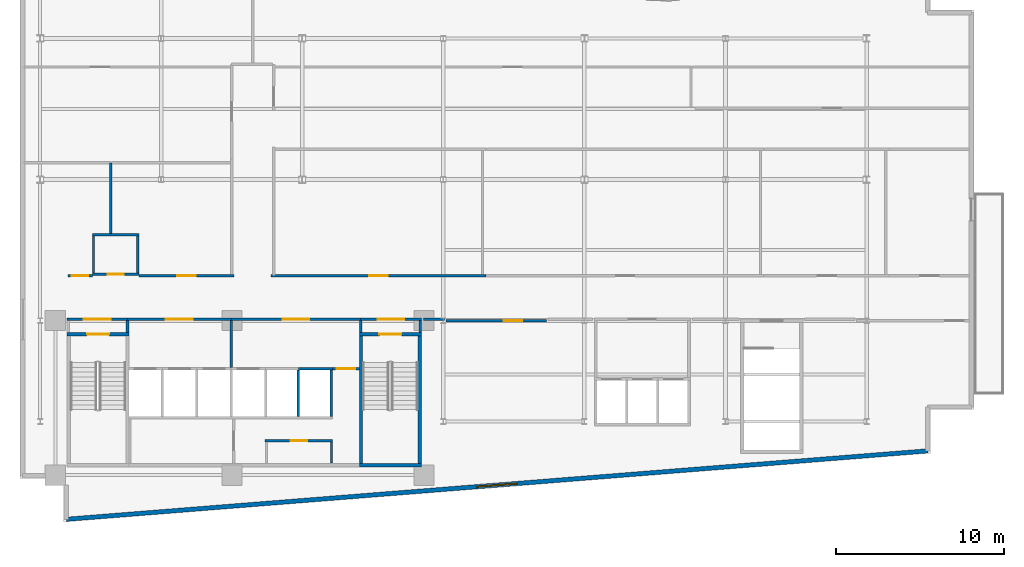
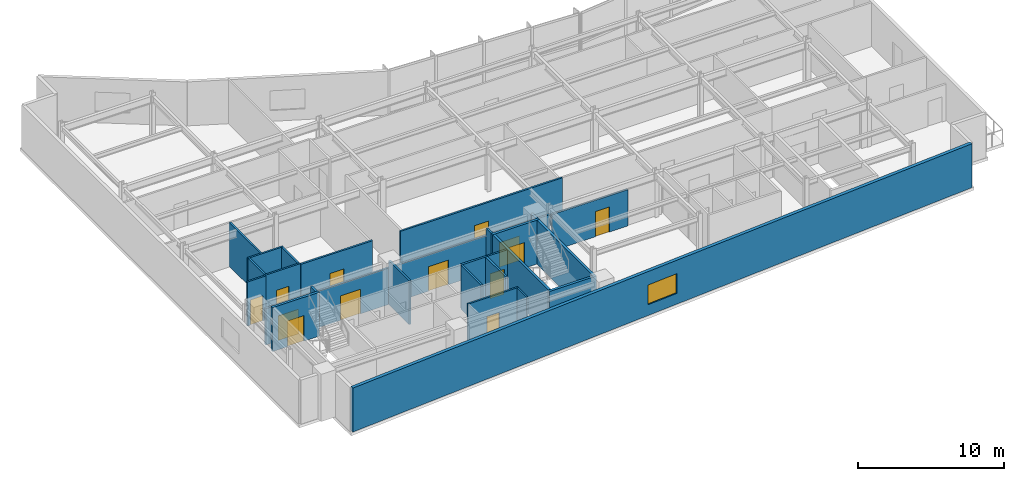
# One storey, part 10 of 16: 30 walls, 13 doors, 1 window, 14 openings.
"""IFC4 building model written with IfcOpenShell, lengths in metres."""

from ifc_helpers import new_model, si_unit, direction, frame, frame_2d, origin, place, context, subcontext, project, spatial, rectangle, extrude, material, layer, layer_set, type_object, element, fill, save


model = new_model("IFC4")

# Units and contexts
model_context = context("Model", 3, precision=1e-05, world=origin(), true_north=direction((0.0, 1.0)))
body_context = subcontext(model_context, "Body", "Model", "MODEL_VIEW")
ifc_project = project(units=[si_unit("LENGTHUNIT", "METRE"), si_unit("AREAUNIT", "SQUARE_METRE"), si_unit("VOLUMEUNIT", "CUBIC_METRE"), si_unit("PLANEANGLEUNIT", "RADIAN"), si_unit("MASSUNIT", "GRAM", prefix="KILO")], contexts=[model_context])

# Site, building, storey
site_placement = place(None, origin())
site = spatial("IfcSite", under=ifc_project, at=site_placement, CompositionType="ELEMENT")
building_placement = place(site_placement, origin())
building = spatial("IfcBuilding", under=site, at=building_placement, Name="Varnakote Quay Hospital", CompositionType="ELEMENT")
storey_placement = place(building_placement, frame((0.0, 0.0, 170.5)))
storey = spatial("IfcBuildingStorey", under=building, at=storey_placement, Name="L42", CompositionType="ELEMENT", Elevation=170.5)

# Wall, opening, door
ifc_material_1 = material(Name="Fire-rated acoustic gypsum stud wall", Category="gypsum")
ifc_layer_1 = layer(ifc_material_1, 0.159912109375)
ifc_layer_set_1 = layer_set([ifc_layer_1], Name="Fire-rated acoustic gypsum stud wall")
wall_type_1 = type_object("IfcWallType", Name="WL-COMP-160", PredefinedType="PARTITIONING", material=ifc_layer_set_1)
wall_1_placement = place(storey_placement, frame((2.800048828125, 12.080078125, 0.0), z_axis=(0.0, 0.0, 1.0), x_axis=(1.0, 0.0, 0.0)))
wall_1 = element("IfcWall", 1, at=wall_1_placement, inside=storey, type_object=wall_type_1, Name="L42 West Stair Vestibule Smoke Wall", PredefinedType="PARTITIONING", context=body_context, shape_type="SweptSolid", body=[
    extrude(rectangle(XDim=3.599853515625, YDim=0.159912109375, at=frame_2d((1.7998046875, 0.0))), origin(), (0.0, 0.0, 1.0), 3.04296875),
])
opening_1_placement = place(wall_1_placement, frame((1.0, 0.0, 0.0)))
opening_1 = element("IfcOpeningElement", 2, at=opening_1_placement, cuts=wall_1, Name="Opening D-ST1L-L42", PredefinedType="OPENING", context=body_context, shape_type="SweptSolid", body=[
    extrude(rectangle(XDim=1.60009765625, YDim=2.050048828125, at=frame_2d((0.800048828125, 1.02490234375))), frame((0.0, 0.08984375, 0.0), z_axis=(0.0, -1.0, 0.0), x_axis=(1.0, 0.0, 0.0)), (0.0, 0.0, 1.0), 0.179931640625),
])
ifc_material_2 = material(Name="Fire-rated double smoke lobby door")
door_type_1 = type_object("IfcDoorType", Name="DR-LOBBY-FD60S-1600x2150", OperationType="NOTDEFINED", PredefinedType="DOOR", material=ifc_material_2)
door_1_placement = place(opening_1_placement, origin())
door_1 = element("IfcDoor", 3, at=door_1_placement, inside=storey, type_object=door_type_1, Name="L42 West Stair Vestibule Smoke Door", OperationType="DOUBLE_DOOR_SINGLE_SWING", OverallHeight=2.050048828125, OverallWidth=1.60009765625, PredefinedType="DOOR", context=body_context, shape_type="SweptSolid", body=[
    extrude(rectangle(XDim=1.60009765625, YDim=2.050048828125, at=frame_2d((0.800048828125, 1.02490234375))), frame((0.0, 0.02490234375, 0.0), z_axis=(0.0, -1.0, 0.0), x_axis=(1.0, 0.0, 0.0)), (0.0, 0.0, 1.0), 0.050048828125),
])
fill(opening_1, door_1)

# Wall
wall_2_placement = place(storey_placement, frame((6.39990234375, 11.300048828125, 0.0), z_axis=(0.0, 0.0, 1.0), x_axis=(0.0, 1.0, 0.0)))
element("IfcWall", 4, at=wall_2_placement, inside=storey, type_object=wall_type_1, Name="L42 Firefighting Lobby West Wall", PredefinedType="PARTITIONING", context=body_context, shape_type="SweptSolid", body=[
    extrude(rectangle(XDim=0.699951171875, YDim=0.159912109375, at=frame_2d((0.35009765625, 0.0))), origin(), (0.0, 0.0, 1.0), 3.669921875),
])

# Wall, opening, door
wall_3_placement = place(storey_placement, frame((6.39990234375, 12.080078125, 0.0), z_axis=(0.0, 0.0, 1.0), x_axis=(1.0, 0.0, 0.0)))
wall_3 = element("IfcWall", 5, at=wall_3_placement, inside=storey, type_object=wall_type_1, Name="L42 Firefighting Lift Lobby Compartment Wall", PredefinedType="PARTITIONING", context=body_context, shape_type="SweptSolid", body=[
    extrude(rectangle(XDim=6.18017578125, YDim=0.159912109375, at=frame_2d((3.090087890625, 0.0))), origin(), (0.0, 0.0, 1.0), 3.04296875),
])
opening_2_placement = place(wall_3_placement, frame((2.2900390625, 0.0, 0.0)))
opening_2 = element("IfcOpeningElement", 6, at=opening_2_placement, cuts=wall_3, Name="Opening D-FFL-L42", PredefinedType="OPENING", context=body_context, shape_type="SweptSolid", body=[
    extrude(rectangle(XDim=1.60009765625, YDim=2.050048828125, at=frame_2d((0.800048828125, 1.02490234375))), frame((0.0, 0.08984375, 0.0), z_axis=(0.0, -1.0, 0.0), x_axis=(1.0, 0.0, 0.0)), (0.0, 0.0, 1.0), 0.179931640625),
])
door_2_placement = place(opening_2_placement, origin())
door_2 = element("IfcDoor", 7, at=door_2_placement, inside=storey, type_object=door_type_1, Name="L42 Firefighting Smoke Vestibule Door", OperationType="DOUBLE_DOOR_SINGLE_SWING", OverallHeight=2.050048828125, OverallWidth=1.60009765625, PredefinedType="DOOR", context=body_context, shape_type="SweptSolid", body=[
    extrude(rectangle(XDim=1.60009765625, YDim=2.050048828125, at=frame_2d((0.800048828125, 1.02490234375))), frame((0.0, 0.02490234375, 0.0), z_axis=(0.0, -1.0, 0.0), x_axis=(1.0, 0.0, 0.0)), (0.0, 0.0, 1.0), 0.050048828125),
])
fill(opening_2, door_2)

# Wall
wall_4_placement = place(storey_placement, frame((12.580078125, 9.2099609375, 0.0), z_axis=(0.0, 0.0, 1.0), x_axis=(0.0, 1.0, 0.0)))
element("IfcWall", 8, at=wall_4_placement, inside=storey, type_object=wall_type_1, Name="L42 Firefighting to Service Lobby Wall", PredefinedType="PARTITIONING", context=body_context, shape_type="SweptSolid", body=[
    extrude(rectangle(XDim=2.7900390625, YDim=0.159912109375, at=frame_2d((1.39501953125, 0.0))), origin(), (0.0, 0.0, 1.0), 3.669921875),
])

# Wall, opening, door
wall_5_placement = place(storey_placement, frame((12.580078125, 12.080078125, 0.0), z_axis=(0.0, 0.0, 1.0), x_axis=(1.0, 0.0, 0.0)))
wall_5 = element("IfcWall", 9, at=wall_5_placement, inside=storey, type_object=wall_type_1, Name="L42 Clinical Bed Lift Lobby Wall", PredefinedType="PARTITIONING", context=body_context, shape_type="SweptSolid", body=[
    extrude(rectangle(XDim=7.699951171875, YDim=0.159912109375, at=frame_2d((3.85009765625, 0.0))), origin(), (0.0, 0.0, 1.0), 3.04296875),
])
opening_3_placement = place(wall_5_placement, frame((3.050048828125, 0.0, 0.0)))
opening_3 = element("IfcOpeningElement", 10, at=opening_3_placement, cuts=wall_5, Name="Opening D-SVL-L42", PredefinedType="OPENING", context=body_context, shape_type="SweptSolid", body=[
    extrude(rectangle(XDim=1.60009765625, YDim=2.050048828125, at=frame_2d((0.800048828125, 1.02490234375))), frame((0.0, 0.08984375, 0.0), z_axis=(0.0, -1.0, 0.0), x_axis=(1.0, 0.0, 0.0)), (0.0, 0.0, 1.0), 0.179931640625),
])
door_3_placement = place(opening_3_placement, origin())
door_3 = element("IfcDoor", 11, at=door_3_placement, inside=storey, type_object=door_type_1, Name="L42 Clinical Core Smoke Vestibule Door", OperationType="DOUBLE_DOOR_SINGLE_SWING", OverallHeight=2.050048828125, OverallWidth=1.60009765625, PredefinedType="DOOR", context=body_context, shape_type="SweptSolid", body=[
    extrude(rectangle(XDim=1.60009765625, YDim=2.050048828125, at=frame_2d((0.800048828125, 1.02490234375))), frame((0.0, 0.02490234375, 0.0), z_axis=(0.0, -1.0, 0.0), x_axis=(1.0, 0.0, 0.0)), (0.0, 0.0, 1.0), 0.050048828125),
])
fill(opening_3, door_3)

# Wall
wall_6_placement = place(storey_placement, frame((20.280029296875, 11.300048828125, 0.0), z_axis=(0.0, 0.0, 1.0), x_axis=(0.0, 1.0, 0.0)))
element("IfcWall", 12, at=wall_6_placement, inside=storey, type_object=wall_type_1, Name="L42 East Stair Vestibule Divider Wall", PredefinedType="PARTITIONING", context=body_context, shape_type="SweptSolid", body=[
    extrude(rectangle(XDim=0.699951171875, YDim=0.159912109375, at=frame_2d((0.35009765625, 0.0))), origin(), (0.0, 0.0, 1.0), 3.669921875),
])

# Wall, opening, door
wall_7_placement = place(storey_placement, frame((20.280029296875, 12.080078125, 0.0), z_axis=(0.0, 0.0, 1.0), x_axis=(1.0, 0.0, 0.0)))
wall_7 = element("IfcWall", 13, at=wall_7_placement, inside=storey, type_object=wall_type_1, Name="L42 East Stair Vestibule Smoke Wall", PredefinedType="PARTITIONING", context=body_context, shape_type="SweptSolid", body=[
    extrude(rectangle(XDim=3.619873046875, YDim=0.159912109375, at=frame_2d((1.81005859375, 0.0))), origin(), (0.0, 0.0, 1.0), 3.04296875),
])
opening_4_placement = place(wall_7_placement, frame((1.010009765625, 0.0, 0.0)))
opening_4 = element("IfcOpeningElement", 14, at=opening_4_placement, cuts=wall_7, Name="Opening D-ST2L-L42", PredefinedType="OPENING", context=body_context, shape_type="SweptSolid", body=[
    extrude(rectangle(XDim=1.60009765625, YDim=2.050048828125, at=frame_2d((0.800048828125, 1.02490234375))), frame((0.0, 0.08984375, 0.0), z_axis=(0.0, -1.0, 0.0), x_axis=(1.0, 0.0, 0.0)), (0.0, 0.0, 1.0), 0.179931640625),
])
door_4_placement = place(opening_4_placement, origin())
door_4 = element("IfcDoor", 15, at=door_4_placement, inside=storey, type_object=door_type_1, Name="L42 East Stair Vestibule Smoke Door", OperationType="DOUBLE_DOOR_SINGLE_SWING", OverallHeight=2.050048828125, OverallWidth=1.60009765625, PredefinedType="DOOR", context=body_context, shape_type="SweptSolid", body=[
    extrude(rectangle(XDim=1.60009765625, YDim=2.050048828125, at=frame_2d((0.800048828125, 1.02490234375))), frame((0.0, 0.02490234375, 0.0), z_axis=(0.0, -1.0, 0.0), x_axis=(1.0, 0.0, 0.0)), (0.0, 0.0, 1.0), 0.050048828125),
])
fill(opening_4, door_4)

# Walls
wall_8_placement = place(storey_placement, frame((23.820068359375, 11.300048828125, 0.0), z_axis=(0.0, 0.0, 1.0), x_axis=(0.0, 1.0, 0.0)))
element("IfcWall", 16, at=wall_8_placement, inside=storey, type_object=wall_type_1, Name="L42 East Stair Vestibule East Wall", PredefinedType="PARTITIONING", context=body_context, shape_type="SweptSolid", body=[
    extrude(rectangle(XDim=0.699951171875, YDim=0.159912109375, at=frame_2d((0.35009765625, 0.0))), origin(), (0.0, 0.0, 1.0), 3.669921875),
])
wall_9_placement = place(storey_placement, frame((24.02001953125, 12.080078125, 0.0), z_axis=(0.0, 0.0, 1.0), x_axis=(1.0, 0.0, 0.0)))
element("IfcWall", 17, at=wall_9_placement, inside=storey, type_object=wall_type_1, Name="L42 Corridor South Gap Wall", PredefinedType="PARTITIONING", context=body_context, shape_type="SweptSolid", body=[
    extrude(rectangle(XDim=1.244140625, YDim=0.159912109375, at=frame_2d((0.6220703125, 0.0))), origin(), (0.0, 0.0, 1.0), 3.04296875),
])

# Wall, opening, window
ifc_material_3 = material(Name="Precast concrete N50 (f'c 50 MPa)", Category="concrete")
ifc_layer_2 = layer(ifc_material_3, 0.260009765625)
ifc_layer_set_2 = layer_set([ifc_layer_2], Name="Precast concrete N50 (f'c 50 MPa)")
wall_type_2 = type_object("IfcWallType", Name="WL-EXT-BRICK-260", PredefinedType="STANDARD", material=ifc_layer_set_2)
wall_10_placement = place(storey_placement, frame((2.760009765625, 0.173095703125, 0.0), z_axis=(0.0, 0.0, 1.0), x_axis=(0.996857931723, 0.079210251617, 0.0)))
wall_10 = element("IfcWall", 18, at=wall_10_placement, inside=storey, type_object=wall_type_2, Name="L42 Brick-Faced Precast Exterior Wall", PredefinedType="STANDARD", context=body_context, shape_type="SweptSolid", body=[
    extrude(rectangle(XDim=51.441650390625, YDim=0.260009765625, at=frame_2d((25.720703125, 0.0))), origin(), (0.0, 0.0, 1.0), 3.669921875),
])
opening_5_placement = place(wall_10_placement, frame((24.520751953125, 0.0, 0.89990234375)))
opening_5 = element("IfcOpeningElement", 19, at=opening_5_placement, cuts=wall_10, Name="Opening WN-0178", PredefinedType="OPENING", context=body_context, shape_type="SweptSolid", body=[
    extrude(rectangle(XDim=2.39990234375, YDim=1.64990234375, at=frame_2d((1.199951171875, 0.824951171875))), frame((0.0, 0.139892578125, 0.0), z_axis=(0.0, -1.0, 0.0), x_axis=(1.0, 0.0, 0.0)), (0.0, 0.0, 1.0), 0.280029296875),
])
ifc_material_4 = material(Name="Double-glazed low-E solar glass", Category="glass")
window_type = type_object("IfcWindowType", Name="WIN-CLIN-2400x1650", PartitioningType="SINGLE_PANEL", PredefinedType="WINDOW", material=ifc_material_4)
window_placement = place(opening_5_placement, origin())
window = element("IfcWindow", 20, at=window_placement, inside=storey, type_object=window_type, Name="L42 Solar-Control Clinical Window", OverallHeight=1.64990234375, OverallWidth=2.39990234375, PartitioningType="SINGLE_PANEL", PredefinedType="WINDOW", context=body_context, shape_type="SweptSolid", body=[
    extrude(rectangle(XDim=2.39990234375, YDim=1.64990234375, at=frame_2d((1.199951171875, 0.824951171875))), frame((0.0, 0.030029296875, 0.0), z_axis=(0.0, -1.0, 0.0), x_axis=(1.0, 0.0, 0.0)), (0.0, 0.0, 1.0), 0.06005859375),
])
fill(opening_5, window)

# Walls
ifc_material_5 = material(Name="Concrete N50 (f'c 50 MPa)", Category="concrete")
ifc_layer_3 = layer(ifc_material_5, 0.14990234375)
ifc_layer_set_3 = layer_set([ifc_layer_3], Name="Concrete N50 (f'c 50 MPa)")
wall_type_3 = type_object("IfcWallType", Name="WL-SHAFT-N50-150", PredefinedType="SHEAR", material=ifc_layer_set_3)
wall_11_placement = place(storey_placement, frame((16.574951171875, 6.300048828125, 0.0), z_axis=(0.0, 0.0, 1.0), x_axis=(0.0, 1.0, 0.0)))
element("IfcWall", 21, at=wall_11_placement, inside=storey, type_object=wall_type_3, Name="L42 LF-PH1 Hoistway Divider Wall", PredefinedType="SHEAR", context=body_context, shape_type="SweptSolid", body=[
    extrude(rectangle(XDim=2.75, YDim=0.14990234375, at=frame_2d((1.375, 0.0))), origin(), (0.0, 0.0, 1.0), 3.669921875),
])
ifc_material_6 = material(Name="Concrete N50 (f'c 50 MPa)", Category="concrete")
ifc_layer_4 = layer(ifc_material_6, 0.159912109375)
ifc_layer_set_4 = layer_set([ifc_layer_4], Name="Concrete N50 (f'c 50 MPa)")
wall_type_4 = type_object("IfcWallType", Name="WL-SHAFT-N50-160", PredefinedType="SHEAR", material=ifc_layer_set_4)
wall_12_placement = place(storey_placement, frame((18.530029296875, 6.300048828125, 0.0), z_axis=(0.0, 0.0, 1.0), x_axis=(0.0, 1.0, 0.0)))
element("IfcWall", 22, at=wall_12_placement, inside=storey, type_object=wall_type_4, Name="L42 REAR Lift Bank East Shear Wall", PredefinedType="SHEAR", context=body_context, shape_type="SweptSolid", body=[
    extrude(rectangle(XDim=2.75, YDim=0.159912109375, at=frame_2d((1.375, 0.0))), origin(), (0.0, 0.0, 1.0), 3.669921875),
])
wall_13_placement = place(storey_placement, frame((16.574951171875, 9.1298828125, 0.0), z_axis=(0.0, 0.0, 1.0), x_axis=(1.0, 0.0, 0.0)))
element("IfcWall", 23, at=wall_13_placement, inside=storey, type_object=wall_type_4, Name="L42 LF-PH2 Hoistway Front Wall", PredefinedType="SHEAR", context=body_context, shape_type="SweptSolid", body=[
    extrude(rectangle(XDim=2.03515625, YDim=0.159912109375, at=frame_2d((1.017578125, 0.0))), origin(), (0.0, 0.0, 1.0), 3.669921875),
])

# Wall, opening, door
ifc_material_7 = material(Name="Concrete N50 (f'c 50 MPa)", Category="concrete")
ifc_layer_5 = layer(ifc_material_7, 0.199951171875)
ifc_layer_set_5 = layer_set([ifc_layer_5], Name="Concrete N50 (f'c 50 MPa)")
wall_type_5 = type_object("IfcWallType", Name="WL-SHAFT-N50-200", PredefinedType="SHEAR", material=ifc_layer_set_5)
wall_14_placement = place(storey_placement, frame((2.800048828125, 11.199951171875, 0.0), z_axis=(0.0, 0.0, 1.0), x_axis=(1.0, 0.0, 0.0)))
wall_14 = element("IfcWall", 24, at=wall_14_placement, inside=storey, type_object=wall_type_5, Name="L42 Stair ST1 Exit Wall", PredefinedType="SHEAR", context=body_context, shape_type="SweptSolid", body=[
    extrude(rectangle(XDim=3.699951171875, YDim=0.199951171875, at=frame_2d((1.85009765625, 0.0))), origin(), (0.0, 0.0, 1.0), 3.669921875),
])
opening_6_placement = place(wall_14_placement, frame((1.199951171875, 0.0, 0.0)))
opening_6 = element("IfcOpeningElement", 25, at=opening_6_placement, cuts=wall_14, Name="Opening D-ST1-L42", PredefinedType="OPENING", context=body_context, shape_type="SweptSolid", body=[
    extrude(rectangle(XDim=1.300048828125, YDim=2.14990234375, at=frame_2d((0.64990234375, 1.074951171875))), frame((0.0, 0.10986328125, 0.0), z_axis=(0.0, -1.0, 0.0), x_axis=(1.0, 0.0, 0.0)), (0.0, 0.0, 1.0), 0.219970703125),
])
ifc_material_8 = material(Name="Fire-rated ceramic-glazed timber exit door", Category="wood")
door_type_2 = type_object("IfcDoorType", Name="DR-STAIR-FD60S-1300x2150", OperationType="NOTDEFINED", PredefinedType="DOOR", material=ifc_material_8)
door_5_placement = place(opening_6_placement, origin())
door_5 = element("IfcDoor", 26, at=door_5_placement, inside=storey, type_object=door_type_2, Name="L42 Stair ST1 Fire Exit Door", OperationType="SINGLE_SWING_LEFT", OverallHeight=2.14990234375, OverallWidth=1.300048828125, PredefinedType="DOOR", context=body_context, shape_type="SweptSolid", body=[
    extrude(rectangle(XDim=1.300048828125, YDim=2.14990234375, at=frame_2d((0.64990234375, 1.074951171875))), frame((0.0, 0.02490234375, 0.0), z_axis=(0.0, -1.0, 0.0), x_axis=(1.0, 0.0, 0.0)), (0.0, 0.0, 1.0), 0.050048828125),
])
fill(opening_6, door_5)

# Walls
wall_15_placement = place(storey_placement, frame((20.199951171875, 3.39990234375, 0.0), z_axis=(0.0, 0.0, 1.0), x_axis=(1.0, 0.0, 0.0)))
element("IfcWall", 27, at=wall_15_placement, inside=storey, type_object=wall_type_5, Name="L42 Stair ST2 South Shaft Wall", PredefinedType="SHEAR", context=body_context, shape_type="SweptSolid", body=[
    extrude(rectangle(XDim=3.699951171875, YDim=0.199951171875, at=frame_2d((1.85009765625, 0.0))), origin(), (0.0, 0.0, 1.0), 3.669921875),
])
for number, where, z_axis, x_axis, name in (
    (28, (20.300048828125, 3.5, 0.0), (0.0, 0.0, 1.0), (0.0, 1.0, 0.0), "L42 Stair ST2 West Shaft Wall"),
    (29, (23.800048828125, 3.5, 0.0), (0.0, 0.0, 1.0), (0.0, 1.0, 0.0), "L42 Stair ST2 East Shaft Wall"),
):
    element("IfcWall", number, at=place(storey_placement, frame(where, z_axis=z_axis, x_axis=x_axis)), inside=storey, type_object=wall_type_5, Name=name, PredefinedType="SHEAR", context=body_context, shape_type="SweptSolid", body=[
        extrude(rectangle(XDim=7.60009765625, YDim=0.199951171875, at=frame_2d((3.800048828125, 0.0))), origin(), (0.0, 0.0, 1.0), 3.669921875),
    ])

# Wall, opening, door
wall_16_placement = place(storey_placement, frame((20.199951171875, 11.199951171875, 0.0), z_axis=(0.0, 0.0, 1.0), x_axis=(1.0, 0.0, 0.0)))
wall_16 = element("IfcWall", 30, at=wall_16_placement, inside=storey, type_object=wall_type_5, Name="L42 Stair ST2 Exit Wall", PredefinedType="SHEAR", context=body_context, shape_type="SweptSolid", body=[
    extrude(rectangle(XDim=3.699951171875, YDim=0.199951171875, at=frame_2d((1.85009765625, 0.0))), origin(), (0.0, 0.0, 1.0), 3.669921875),
])
opening_7_placement = place(wall_16_placement, frame((1.199951171875, 0.0, 0.0)))
opening_7 = element("IfcOpeningElement", 31, at=opening_7_placement, cuts=wall_16, Name="Opening D-ST2-L42", PredefinedType="OPENING", context=body_context, shape_type="SweptSolid", body=[
    extrude(rectangle(XDim=1.300048828125, YDim=2.14990234375, at=frame_2d((0.64990234375, 1.074951171875))), frame((0.0, 0.10986328125, 0.0), z_axis=(0.0, -1.0, 0.0), x_axis=(1.0, 0.0, 0.0)), (0.0, 0.0, 1.0), 0.219970703125),
])
door_6_placement = place(opening_7_placement, origin())
door_6 = element("IfcDoor", 32, at=door_6_placement, inside=storey, type_object=door_type_2, Name="L42 Stair ST2 Fire Exit Door", OperationType="SINGLE_SWING_RIGHT", OverallHeight=2.14990234375, OverallWidth=1.300048828125, PredefinedType="DOOR", context=body_context, shape_type="SweptSolid", body=[
    extrude(rectangle(XDim=1.300048828125, YDim=2.14990234375, at=frame_2d((0.64990234375, 1.074951171875))), frame((0.0, 0.02490234375, 0.0), z_axis=(0.0, -1.0, 0.0), x_axis=(1.0, 0.0, 0.0)), (0.0, 0.0, 1.0), 0.050048828125),
])
fill(opening_7, door_6)

# Walls
ifc_material_9 = material(Name="Smoke-proof clinical partition", Category="gypsum")
ifc_layer_6 = layer(ifc_material_9, 0.1201171875)
ifc_layer_set_6 = layer_set([ifc_layer_6], Name="Smoke-proof clinical partition")
wall_type_6 = type_object("IfcWallType", Name="WL-SMOKE-120", PredefinedType="PARTITIONING", material=ifc_layer_set_6)
wall_17_placement = place(storey_placement, frame((18.5400390625, 3.52001953125, 0.0), z_axis=(0.0, 0.0, 1.0), x_axis=(0.0, 1.0, 0.0)))
element("IfcWall", 33, at=wall_17_placement, inside=storey, type_object=wall_type_6, Name="L42 Core WC East Wall", PredefinedType="PARTITIONING", context=body_context, shape_type="SweptSolid", body=[
    extrude(rectangle(XDim=1.260009765625, YDim=0.1201171875, at=frame_2d((0.6298828125, 0.0))), origin(), (0.0, 0.0, 1.0), 3.669921875),
])
ifc_material_10 = material(Name="Smoke-proof clinical partition", Category="gypsum")
ifc_layer_7 = layer(ifc_material_10, 0.135009765625)
ifc_layer_set_7 = layer_set([ifc_layer_7], Name="Smoke-proof clinical partition")
wall_type_7 = type_object("IfcWallType", Name="WL-SMOKE-135", PredefinedType="PARTITIONING", material=ifc_layer_set_7)
wall_18_placement = place(storey_placement, frame((5.39990234375, 17.139892578125, 0.0), z_axis=(0.0, 0.0, 1.0), x_axis=(0.0, 1.0, 0.0)))
element("IfcWall", 34, at=wall_18_placement, inside=storey, type_object=wall_type_7, Name="L42 Clinical Interior Partition", PredefinedType="PARTITIONING", context=body_context, shape_type="SweptSolid", body=[
    extrude(rectangle(XDim=4.260009765625, YDim=0.135009765625, at=frame_2d((2.1298828125, 0.0))), origin(), (0.0, 0.0, 1.0), 3.669921875),
])

# Wall, opening, door
ifc_material_11 = material(Name="Fire-rated clinical gypsum partition", Category="gypsum")
ifc_layer_8 = layer(ifc_material_11, 0.139892578125)
ifc_layer_set_8 = layer_set([ifc_layer_8], Name="Fire-rated clinical gypsum partition")
wall_type_8 = type_object("IfcWallType", Name="WL-WARD-140", PredefinedType="PARTITIONING", material=ifc_layer_set_8)
wall_19_placement = place(storey_placement, frame((14.60009765625, 4.85009765625, 0.0), z_axis=(0.0, 0.0, 1.0), x_axis=(1.0, 0.0, 0.0)))
wall_19 = element("IfcWall", 35, at=wall_19_placement, inside=storey, type_object=wall_type_8, Name="L42 Core Staff Sanitary WC North Wall", PredefinedType="PARTITIONING", context=body_context, shape_type="SweptSolid", body=[
    extrude(rectangle(XDim=4.0, YDim=0.139892578125, at=frame_2d((2.0, 0.0))), origin(), (0.0, 0.0, 1.0), 3.669921875),
])
opening_8_placement = place(wall_19_placement, frame((1.510009765625, 0.0, 0.0)))
opening_8 = element("IfcOpeningElement", 36, at=opening_8_placement, cuts=wall_19, Name="Opening D-L42-CR02", PredefinedType="OPENING", context=body_context, shape_type="SweptSolid", body=[
    extrude(rectangle(XDim=0.97998046875, YDim=2.10009765625, at=frame_2d((0.489990234375, 1.050048828125))), frame((0.0, 0.079833984375, 0.0), z_axis=(0.0, -1.0, 0.0), x_axis=(1.0, 0.0, 0.0)), (0.0, 0.0, 1.0), 0.159912109375),
])
ifc_material_12 = material(Name="Accessible sanitary compartment door")
door_type_3 = type_object("IfcDoorType", Name="DR-WC-980x2100", OperationType="NOTDEFINED", PredefinedType="DOOR", material=ifc_material_12)
door_7_placement = place(opening_8_placement, origin())
door_7 = element("IfcDoor", 37, at=door_7_placement, inside=storey, type_object=door_type_3, Name="L42 Core Staff Sanitary WC Door", OperationType="SINGLE_SWING_LEFT", OverallHeight=2.10009765625, OverallWidth=0.97998046875, PredefinedType="DOOR", context=body_context, shape_type="SweptSolid", body=[
    extrude(rectangle(XDim=0.97998046875, YDim=2.10009765625, at=frame_2d((0.489990234375, 1.050048828125))), frame((0.0, 0.02490234375, 0.0), z_axis=(0.0, -1.0, 0.0), x_axis=(1.0, 0.0, 0.0)), (0.0, 0.0, 1.0), 0.050048828125),
])
fill(opening_8, door_7)

wall_20_placement = place(storey_placement, frame((18.610107421875, 9.1298828125, 0.0), z_axis=(0.0, 0.0, 1.0), x_axis=(1.0, 0.0, 0.0)))
wall_20 = element("IfcWall", 38, at=wall_20_placement, inside=storey, type_object=wall_type_8, Name="L42 Core Service Corridor North Door Wall", PredefinedType="PARTITIONING", context=body_context, shape_type="SweptSolid", body=[
    extrude(rectangle(XDim=1.58984375, YDim=0.139892578125, at=frame_2d((0.794921875, 0.0))), origin(), (0.0, 0.0, 1.0), 3.669921875),
])
opening_9_placement = place(wall_20_placement, frame((0.239990234375, 0.0, 0.0)))
opening_9 = element("IfcOpeningElement", 39, at=opening_9_placement, cuts=wall_20, Name="Opening D-CSRV-L42", PredefinedType="OPENING", context=body_context, shape_type="SweptSolid", body=[
    extrude(rectangle(XDim=1.10009765625, YDim=2.10009765625, at=frame_2d((0.550048828125, 1.050048828125))), frame((0.0, 0.079833984375, 0.0), z_axis=(0.0, -1.0, 0.0), x_axis=(1.0, 0.0, 0.0)), (0.0, 0.0, 1.0), 0.159912109375),
])
ifc_material_13 = material(Name="Acoustic timber clinical consult door", Category="wood")
door_type_4 = type_object("IfcDoorType", Name="DR-CLIN-FD30S-1100x2100", OperationType="NOTDEFINED", PredefinedType="DOOR", material=ifc_material_13)
door_8_placement = place(opening_9_placement, origin())
door_8 = element("IfcDoor", 40, at=door_8_placement, inside=storey, type_object=door_type_4, Name="L42 Core Service Corridor Door", OperationType="SINGLE_SWING_RIGHT", OverallHeight=2.10009765625, OverallWidth=1.10009765625, PredefinedType="DOOR", context=body_context, shape_type="SweptSolid", body=[
    extrude(rectangle(XDim=1.10009765625, YDim=2.10009765625, at=frame_2d((0.550048828125, 1.050048828125))), frame((0.0, 0.02490234375, 0.0), z_axis=(0.0, -1.0, 0.0), x_axis=(1.0, 0.0, 0.0)), (0.0, 0.0, 1.0), 0.050048828125),
])
fill(opening_9, door_8)

wall_21_placement = place(storey_placement, frame((4.31005859375, 14.77001953125, 0.0), z_axis=(0.0, 0.0, 1.0), x_axis=(1.0, 0.0, 0.0)))
wall_21 = element("IfcWall", 41, at=wall_21_placement, inside=storey, type_object=wall_type_8, Name="L42 Floor Unisex Accessible WC S Wall", PredefinedType="PARTITIONING", context=body_context, shape_type="SweptSolid", body=[
    extrude(rectangle(XDim=2.780029296875, YDim=0.139892578125, at=frame_2d((1.39013671875, 0.0))), origin(), (0.0, 0.0, 1.0), 3.669921875),
])
opening_10_placement = place(wall_21_placement, frame((0.89990234375, 0.0, 0.0)))
opening_10 = element("IfcOpeningElement", 42, at=opening_10_placement, cuts=wall_21, Name="Opening D-L42-EW01", PredefinedType="OPENING", context=body_context, shape_type="SweptSolid", body=[
    extrude(rectangle(XDim=0.97998046875, YDim=2.10009765625, at=frame_2d((0.489990234375, 1.050048828125))), frame((0.0, 0.079833984375, 0.0), z_axis=(0.0, -1.0, 0.0), x_axis=(1.0, 0.0, 0.0)), (0.0, 0.0, 1.0), 0.159912109375),
])
door_9_placement = place(opening_10_placement, origin())
door_9 = element("IfcDoor", 43, at=door_9_placement, inside=storey, type_object=door_type_3, Name="L42 Floor Unisex Accessible WC Door", OperationType="SINGLE_SWING_LEFT", OverallHeight=2.10009765625, OverallWidth=0.97998046875, PredefinedType="DOOR", context=body_context, shape_type="SweptSolid", body=[
    extrude(rectangle(XDim=0.97998046875, YDim=2.10009765625, at=frame_2d((0.489990234375, 1.050048828125))), frame((0.0, 0.02490234375, 0.0), z_axis=(0.0, -1.0, 0.0), x_axis=(1.0, 0.0, 0.0)), (0.0, 0.0, 1.0), 0.050048828125),
])
fill(opening_10, door_9)

# Walls
wall_22_placement = place(storey_placement, frame((4.31005859375, 17.110107421875, 0.0), z_axis=(0.0, 0.0, 1.0), x_axis=(1.0, 0.0, 0.0)))
element("IfcWall", 44, at=wall_22_placement, inside=storey, type_object=wall_type_8, Name="L42 Floor Unisex Accessible WC N Wall", PredefinedType="PARTITIONING", context=body_context, shape_type="SweptSolid", body=[
    extrude(rectangle(XDim=2.780029296875, YDim=0.139892578125, at=frame_2d((1.39013671875, 0.0))), origin(), (0.0, 0.0, 1.0), 3.669921875),
])
for number, where, z_axis, x_axis, name in (
    (45, (4.3798828125, 14.840087890625, 0.0), (0.0, 0.0, 1.0), (0.0, 1.0, 0.0), "L42 Floor Unisex Accessible WC W Wall"),
    (46, (7.02001953125, 14.840087890625, 0.0), (0.0, 0.0, 1.0), (0.0, 1.0, 0.0), "L42 Floor Unisex Accessible WC E Wall"),
):
    element("IfcWall", number, at=place(storey_placement, frame(where, z_axis=z_axis, x_axis=x_axis)), inside=storey, type_object=wall_type_8, Name=name, PredefinedType="PARTITIONING", context=body_context, shape_type="SweptSolid", body=[
        extrude(rectangle(XDim=2.199951171875, YDim=0.139892578125, at=frame_2d((1.10009765625, 0.0))), origin(), (0.0, 0.0, 1.0), 3.669921875),
    ])

# Wall, opening, door
ifc_material_14 = material(Name="Fire-rated clinical gypsum partition", Category="gypsum")
ifc_layer_9 = layer(ifc_material_14, 0.14990234375)
ifc_layer_set_9 = layer_set([ifc_layer_9], Name="Fire-rated clinical gypsum partition")
wall_type_9 = type_object("IfcWallType", Name="WL-WARD-150", PredefinedType="PARTITIONING", material=ifc_layer_set_9)
wall_23_placement = place(storey_placement, frame((31.35009765625, 12.0, 0.0), z_axis=(0.0, 0.0, 1.0), x_axis=(-1.0, 0.0, 0.0)))
wall_23 = element("IfcWall", 47, at=wall_23_placement, inside=storey, type_object=wall_type_9, Name="L42 Clinical Interior Partition", PredefinedType="PARTITIONING", context=body_context, shape_type="SweptSolid", body=[
    extrude(rectangle(XDim=5.99658203125, YDim=0.14990234375, at=frame_2d((2.998291015625, 0.0))), origin(), (0.0, 0.0, 1.0), 3.04296875),
])
opening_11_placement = place(wall_23_placement, frame((1.4365234375, 0.0, 0.0)))
opening_11 = element("IfcOpeningElement", 48, at=opening_11_placement, cuts=wall_23, Name="Opening D-L42-RL1", PredefinedType="OPENING", context=body_context, shape_type="SweptSolid", body=[
    extrude(rectangle(XDim=1.10009765625, YDim=2.10009765625, at=frame_2d((0.550048828125, 1.050048828125))), frame((0.0, 0.0849609375, 0.0), z_axis=(0.0, -1.0, 0.0), x_axis=(1.0, 0.0, 0.0)), (0.0, 0.0, 1.0), 0.169921875),
])
door_10_placement = place(opening_11_placement, origin())
door_10 = element("IfcDoor", 49, at=door_10_placement, inside=storey, type_object=door_type_4, Name="L42 Day Infusion Treatment Suite Door", OperationType="SINGLE_SWING_RIGHT", OverallHeight=2.10009765625, OverallWidth=1.10009765625, PredefinedType="DOOR", context=body_context, shape_type="SweptSolid", body=[
    extrude(rectangle(XDim=1.10009765625, YDim=2.10009765625, at=frame_2d((0.550048828125, 1.050048828125))), frame((0.0, 0.02490234375, 0.0), z_axis=(0.0, -1.0, 0.0), x_axis=(1.0, 0.0, 0.0)), (0.0, 0.0, 1.0), 0.050048828125),
])
fill(opening_11, door_10)

wall_24_placement = place(storey_placement, frame((4.30810546875, 14.679931640625, 0.0), z_axis=(0.0, 0.0, 1.0), x_axis=(-1.0, 0.0, 0.0)))
wall_24 = element("IfcWall", 50, at=wall_24_placement, inside=storey, type_object=wall_type_9, Name="L42 Clinical Interior Partition", PredefinedType="PARTITIONING", context=body_context, shape_type="SweptSolid", body=[
    extrude(rectangle(XDim=1.4580078125, YDim=0.14990234375, at=frame_2d((0.72900390625, 0.0))), origin(), (0.0, 0.0, 1.0), 3.669921875),
])
opening_12_placement = place(wall_24_placement, frame((0.239013671875, 0.0, 0.0)))
opening_12 = element("IfcOpeningElement", 51, at=opening_12_placement, cuts=wall_24, Name="Opening D-L42-MD01", PredefinedType="OPENING", context=body_context, shape_type="SweptSolid", body=[
    extrude(rectangle(XDim=0.97998046875, YDim=2.10009765625, at=frame_2d((0.489990234375, 1.050048828125))), frame((0.0, 0.0849609375, 0.0), z_axis=(0.0, -1.0, 0.0), x_axis=(1.0, 0.0, 0.0)), (0.0, 0.0, 1.0), 0.169921875),
])
door_11_placement = place(opening_12_placement, origin())
door_11 = element("IfcDoor", 52, at=door_11_placement, inside=storey, type_object=door_type_3, Name="L42 Maternal Recovery Treatment Suite Door", OperationType="SINGLE_SWING_RIGHT", OverallHeight=2.10009765625, OverallWidth=0.97998046875, PredefinedType="DOOR", context=body_context, shape_type="SweptSolid", body=[
    extrude(rectangle(XDim=0.97998046875, YDim=2.10009765625, at=frame_2d((0.489990234375, 1.050048828125))), frame((0.0, 0.02490234375, 0.0), z_axis=(0.0, -1.0, 0.0), x_axis=(1.0, 0.0, 0.0)), (0.0, 0.0, 1.0), 0.050048828125),
])
fill(opening_12, door_11)

wall_25_placement = place(storey_placement, frame((12.74609375, 14.679931640625, 0.0), z_axis=(0.0, 0.0, 1.0), x_axis=(-1.0, 0.0, 0.0)))
wall_25 = element("IfcWall", 53, at=wall_25_placement, inside=storey, type_object=wall_type_9, Name="L42 Clinical Interior Partition", PredefinedType="PARTITIONING", context=body_context, shape_type="SweptSolid", body=[
    extrude(rectangle(XDim=5.654052734375, YDim=0.14990234375, at=frame_2d((2.8271484375, 0.0))), origin(), (0.0, 0.0, 1.0), 3.669921875),
])
opening_13_placement = place(wall_25_placement, frame((2.277099609375, 0.0, 0.0)))
opening_13 = element("IfcOpeningElement", 54, at=opening_13_placement, cuts=wall_25, Name="Opening D-L42-MD02", PredefinedType="OPENING", context=body_context, shape_type="SweptSolid", body=[
    extrude(rectangle(XDim=1.10009765625, YDim=2.10009765625, at=frame_2d((0.550048828125, 1.050048828125))), frame((0.0, 0.0849609375, 0.0), z_axis=(0.0, -1.0, 0.0), x_axis=(1.0, 0.0, 0.0)), (0.0, 0.0, 1.0), 0.169921875),
])
door_12_placement = place(opening_13_placement, origin())
door_12 = element("IfcDoor", 55, at=door_12_placement, inside=storey, type_object=door_type_4, Name="L42 Family Consultation Meeting Room Door", OperationType="SINGLE_SWING_LEFT", OverallHeight=2.10009765625, OverallWidth=1.10009765625, PredefinedType="DOOR", context=body_context, shape_type="SweptSolid", body=[
    extrude(rectangle(XDim=1.10009765625, YDim=2.10009765625, at=frame_2d((0.550048828125, 1.050048828125))), frame((0.0, 0.02490234375, 0.0), z_axis=(0.0, -1.0, 0.0), x_axis=(1.0, 0.0, 0.0)), (0.0, 0.0, 1.0), 0.050048828125),
])
fill(opening_13, door_12)

wall_26_placement = place(storey_placement, frame((27.756103515625, 14.679931640625, 0.0), z_axis=(0.0, 0.0, 1.0), x_axis=(-1.0, 0.0, 0.0)))
wall_26 = element("IfcWall", 56, at=wall_26_placement, inside=storey, type_object=wall_type_9, Name="L42 Clinical Interior Partition", PredefinedType="PARTITIONING", context=body_context, shape_type="SweptSolid", body=[
    extrude(rectangle(XDim=12.802001953125, YDim=0.14990234375, at=frame_2d((6.40087890625, 0.0))), origin(), (0.0, 0.0, 1.0), 3.669921875),
])
opening_14_placement = place(wall_26_placement, frame((5.85107421875, 0.0, 0.0)))
opening_14 = element("IfcOpeningElement", 57, at=opening_14_placement, cuts=wall_26, Name="Opening D-L42-MD04", PredefinedType="OPENING", context=body_context, shape_type="SweptSolid", body=[
    extrude(rectangle(XDim=1.10009765625, YDim=2.10009765625, at=frame_2d((0.550048828125, 1.050048828125))), frame((0.0, 0.0849609375, 0.0), z_axis=(0.0, -1.0, 0.0), x_axis=(1.0, 0.0, 0.0)), (0.0, 0.0, 1.0), 0.169921875),
])
door_13_placement = place(opening_14_placement, origin())
door_13 = element("IfcDoor", 58, at=door_13_placement, inside=storey, type_object=door_type_4, Name="L42 Lactation Specialist Office Door", OperationType="SINGLE_SWING_RIGHT", OverallHeight=2.10009765625, OverallWidth=1.10009765625, PredefinedType="DOOR", context=body_context, shape_type="SweptSolid", body=[
    extrude(rectangle(XDim=1.10009765625, YDim=2.10009765625, at=frame_2d((0.550048828125, 1.050048828125))), frame((0.0, 0.02490234375, 0.0), z_axis=(0.0, -1.0, 0.0), x_axis=(1.0, 0.0, 0.0)), (0.0, 0.0, 1.0), 0.050048828125),
])
fill(opening_14, door_13)

save(model, "model.ifc")
